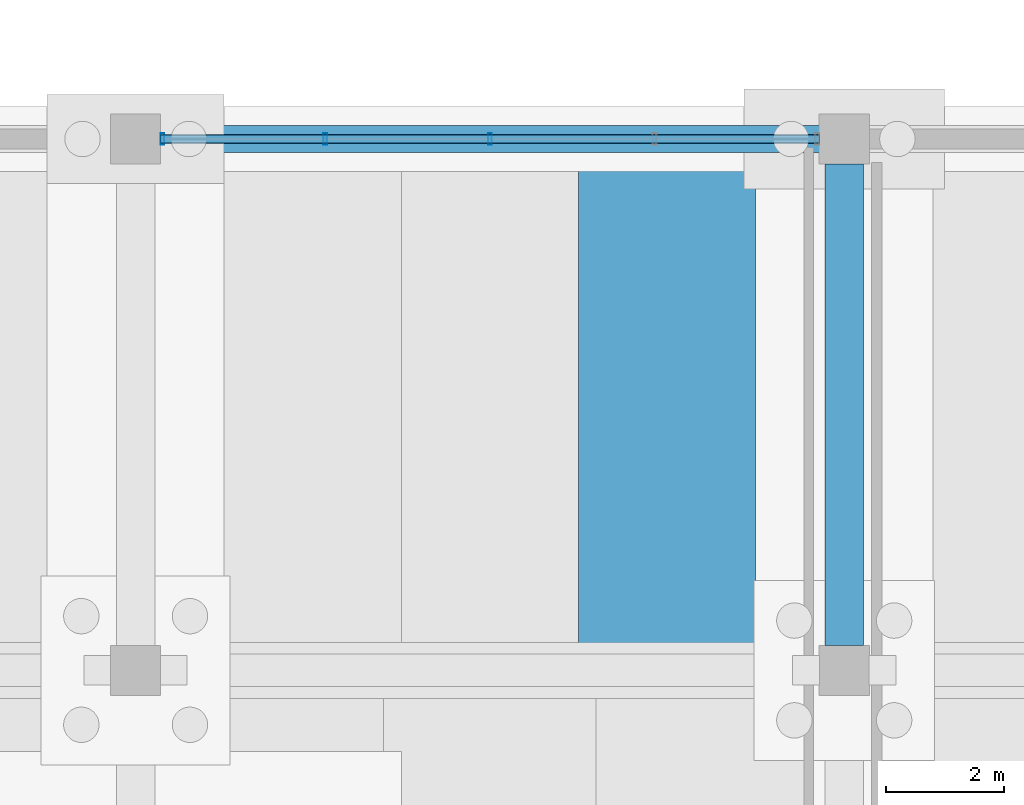
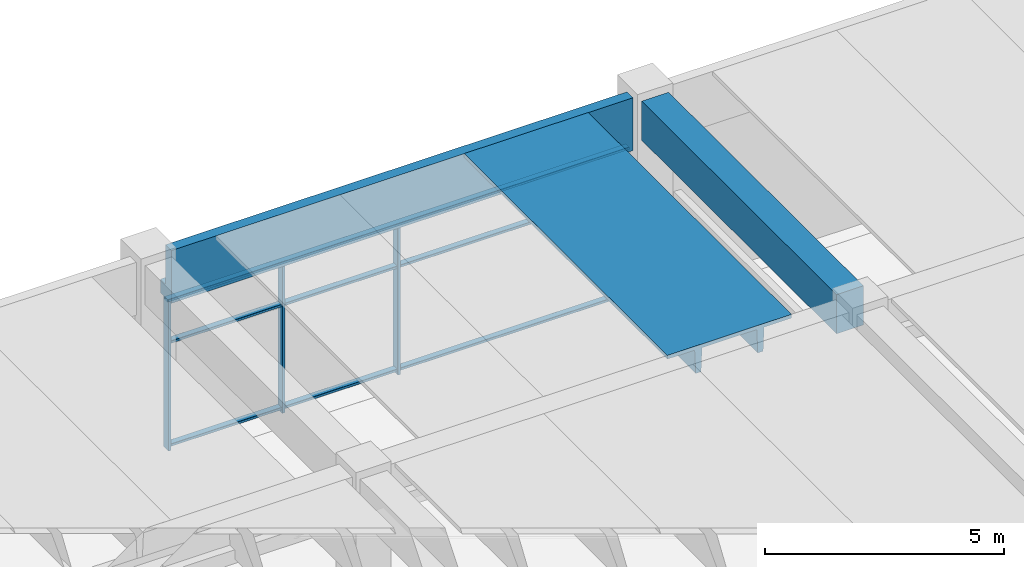
# One storey, part 16 of 59: 6 members, 3 beams, 1 element without a shape of its own.
"""IFC4 building model written with IfcOpenShell, lengths in metres."""

from ifc_helpers import new_model, si_unit, direction, frame, origin, origin_2d, place, context, subcontext, project, spatial, polyline, rectangle, hollow_rectangle, outline, extrude, material, material_profile, profile_set, type_object, element, aggregate, save


model = new_model("IFC4")

# Units and contexts
model_context = context("Model", 3, precision=1e-05, world=origin(), true_north=direction((0.0, 1.0)))
body_context = subcontext(model_context, "Body", "Model", "MODEL_VIEW")
ifc_project = project(units=[si_unit("LENGTHUNIT", "METRE"), si_unit("AREAUNIT", "SQUARE_METRE"), si_unit("VOLUMEUNIT", "CUBIC_METRE"), si_unit("PLANEANGLEUNIT", "RADIAN"), si_unit("MASSUNIT", "GRAM", prefix="KILO")], contexts=[model_context])

# Site, building, storey
site_placement = place(None, origin())
site = spatial("IfcSite", under=ifc_project, at=site_placement, CompositionType="ELEMENT")
building_placement = place(site_placement, origin())
building = spatial("IfcBuilding", under=site, at=building_placement, Name="Girod Span Mobility Hub", CompositionType="ELEMENT")
storey_placement = place(building_placement, origin())
storey = spatial("IfcBuildingStorey", under=building, at=storey_placement, Name="L00", CompositionType="ELEMENT", Elevation=0.0)

# Beams
ifc_material_1 = material(Name="Concrete C50/60", Category="concrete")
ifc_material_profile_1 = material_profile(ifc_material_1, outline(polyline([(-1.5, 0.35009765625), (-1.5, 0.2548828125), (-0.840087890625, 0.2548828125), (-0.81494140625, -0.35009765625), (-0.68505859375, -0.35009765625), (-0.659912109375, 0.2548828125), (0.659912109375, 0.2548828125), (0.68505859375, -0.35009765625), (0.81494140625, -0.35009765625), (0.840087890625, 0.2548828125), (1.5, 0.2548828125), (1.5, 0.35009765625), (-1.5, 0.35009765625)])), Name="DT-3000X700")
ifc_profile_set_1 = profile_set([ifc_material_profile_1], Name="Concrete C50/60")
beam_type_1 = type_object("IfcBeamType", Name="BM-DT-3000X700", PredefinedType="JOIST", material=ifc_profile_set_1)
beam_1_placement = place(storey_placement, frame((69.0, 105.27197265625, 4.85009765625), z_axis=(0.0, 1.0, 0.0), x_axis=(-1.0, 0.0, 0.0)))
element("IfcBeam", 1, at=beam_1_placement, inside=storey, type_object=beam_type_1, Name="Double-Tee Deck 6/H-3 L00", PredefinedType="JOIST", context=body_context, shape_type="SweptSolid", body=[
    extrude(outline(polyline([(-1.5, 0.35009765625), (-1.5, 0.2548828125), (-0.840087890625, 0.2548828125), (-0.81494140625, -0.35009765625), (-0.68505859375, -0.35009765625), (-0.659912109375, 0.2548828125), (0.659912109375, 0.2548828125), (0.68505859375, -0.35009765625), (0.81494140625, -0.35009765625), (0.840087890625, 0.2548828125), (1.5, 0.2548828125), (1.5, 0.35009765625), (-1.5, 0.35009765625)])), origin(), (0.0, 0.0, 1.0), 8.506103515625),
])
ifc_material_2 = material(Name="Concrete C40/50", Category="concrete")
ifc_material_profile_2 = material_profile(ifc_material_2, outline(polyline([(-0.22509765625, -0.675048828125), (0.22509765625, -0.675048828125), (0.22509765625, -0.324951171875), (0.02490234375, -0.324951171875), (0.02490234375, 0.675048828125), (-0.22509765625, 0.675048828125), (-0.22509765625, -0.675048828125)])), Name="SP-450X1350")
ifc_profile_set_2 = profile_set([ifc_material_profile_2], Name="Concrete C40/50")
beam_type_2 = type_object("IfcBeamType", Name="BM-SP-450X1350", PredefinedType="SPANDREL", material=ifc_profile_set_2)
beam_2_placement = place(storey_placement, frame((60.422119140625, 114.0, 4.52490234375), z_axis=(1.0, 0.0, 0.0), x_axis=(0.0, 1.0, 0.0)))
element("IfcBeam", 2, at=beam_2_placement, inside=storey, type_object=beam_type_2, Name="Girder 6-7/J L00", PredefinedType="SPANDREL", context=body_context, shape_type="SweptSolid", body=[
    extrude(outline(polyline([(-0.22509765625, -0.675048828125), (0.22509765625, -0.675048828125), (0.22509765625, -0.324951171875), (0.02490234375, -0.324951171875), (0.02490234375, 0.675048828125), (-0.22509765625, 0.675048828125), (-0.22509765625, -0.675048828125)])), origin(), (0.0, 0.0, 1.0), 11.15576171875),
])
ifc_material_3 = material(Name="Concrete C40/50", Category="concrete")
ifc_material_profile_3 = material_profile(ifc_material_3, rectangle(XDim=0.64990234375, YDim=1.0, at=origin_2d()), Name="TG-650X1000")
ifc_profile_set_3 = profile_set([ifc_material_profile_3], Name="Concrete C40/50")
beam_type_3 = type_object("IfcBeamType", Name="BM-TG-650X1000", PredefinedType="T_BEAM", material=ifc_profile_set_3)
beam_3_placement = place(storey_placement, frame((72.0, 105.422119140625, 4.699951171875), z_axis=(0.0, 1.0, 0.0), x_axis=(-1.0, 0.0, 0.0)))
element("IfcBeam", 3, at=beam_3_placement, inside=storey, type_object=beam_type_3, Name="Tie Girder 7/H-J L00", PredefinedType="T_BEAM", context=body_context, shape_type="SweptSolid", body=[
    extrude(rectangle(XDim=0.64990234375, YDim=1.0, at=origin_2d()), origin(), (0.0, 0.0, 1.0), 8.15576171875),
])

# Curtain wall, members
ifc_material_4 = material(Name="Thermally Broken Anodised Aluminium", Category="aluminium")
curtain_wall_type = type_object("IfcCurtainWallType", Name="CW-1115X385", PredefinedType="USERDEFINED", material=ifc_material_4)
curtain_wall_placement = place(storey_placement, origin())
curtain_wall = element("IfcCurtainWall", 4, at=curtain_wall_placement, inside=storey, type_object=curtain_wall_type, Name="Concourse Storefront CW-L00-N06 L00", ObjectType="CONCOURSE STOREFRONT", PredefinedType="USERDEFINED")
ifc_material_5 = material(Name="Thermally Broken Anodised Aluminium", Category="aluminium")
ifc_material_profile_4 = material_profile(ifc_material_5, hollow_rectangle(XDim=0.199951171875, YDim=0.06494140625, WallThickness=0.00390625, InnerFilletRadius=0.00390625, OuterFilletRadius=0.008056640625, at=origin_2d()), Name="CW-ML-65X200")
ifc_profile_set_4 = profile_set([ifc_material_profile_4], Name="Thermally Broken Anodised Aluminium")
member_type_1 = type_object("IfcMemberType", Name="CWM-ML-1", PredefinedType="MULLION", material=ifc_profile_set_4)
member_1_placement = place(storey_placement, frame((60.455078125, 114.0, 0.0), z_axis=(0.0, 0.0, 1.0), x_axis=(0.0, 1.0, 0.0)))
member_1 = element("IfcMember", 5, at=member_1_placement, type_object=member_type_1, Name="Curtain Wall Mullion CW-L00-N06-M0", PredefinedType="MULLION", context=body_context, shape_type="SweptSolid", body=[
    extrude(hollow_rectangle(XDim=0.199951171875, YDim=0.06494140625, WallThickness=0.00390625, InnerFilletRadius=0.00390625, OuterFilletRadius=0.008056640625, at=origin_2d()), origin(), (0.0, 0.0, 1.0), 3.85009765625),
])
member_2_placement = place(storey_placement, frame((63.21142578125, 114.0, 0.0), z_axis=(0.0, 0.0, 1.0), x_axis=(0.0, 1.0, 0.0)))
member_2 = element("IfcMember", 6, at=member_2_placement, type_object=member_type_1, Name="Curtain Wall Mullion CW-L00-N06-M1", PredefinedType="MULLION", context=body_context, shape_type="SweptSolid", body=[
    extrude(hollow_rectangle(XDim=0.199951171875, YDim=0.06494140625, WallThickness=0.00390625, InnerFilletRadius=0.00390625, OuterFilletRadius=0.008056640625, at=origin_2d()), origin(), (0.0, 0.0, 1.0), 3.85009765625),
])
member_3_placement = place(storey_placement, frame((66.0, 114.0, 0.0), z_axis=(0.0, 0.0, 1.0), x_axis=(0.0, 1.0, 0.0)))
member_3 = element("IfcMember", 7, at=member_3_placement, type_object=member_type_1, Name="Curtain Wall Mullion CW-L00-N06-M2", PredefinedType="MULLION", context=body_context, shape_type="SweptSolid", body=[
    extrude(hollow_rectangle(XDim=0.199951171875, YDim=0.06494140625, WallThickness=0.00390625, InnerFilletRadius=0.00390625, OuterFilletRadius=0.008056640625, at=origin_2d()), origin(), (0.0, 0.0, 1.0), 3.85009765625),
])
ifc_material_6 = material(Name="Thermally Broken Anodised Aluminium", Category="aluminium")
ifc_material_profile_5 = material_profile(ifc_material_6, hollow_rectangle(XDim=0.14990234375, YDim=0.06494140625, WallThickness=0.00390625, InnerFilletRadius=0.00390625, OuterFilletRadius=0.008056640625, at=origin_2d()), Name="CW-TR-65X150")
ifc_profile_set_5 = profile_set([ifc_material_profile_5], Name="Thermally Broken Anodised Aluminium")
member_type_2 = type_object("IfcMemberType", Name="CWM-TR-1", PredefinedType="USERDEFINED", material=ifc_profile_set_5)
member_4_placement = place(storey_placement, frame((60.423095703125, 114.0, 0.107421875), z_axis=(1.0, 0.0, 0.0), x_axis=(0.0, 1.0, 0.0)))
member_4 = element("IfcMember", 8, at=member_4_placement, type_object=member_type_2, Name="Curtain Wall Transom CW-L00-N06-T1", ObjectType="TRANSOM", PredefinedType="USERDEFINED", context=body_context, shape_type="SweptSolid", body=[
    extrude(hollow_rectangle(XDim=0.14990234375, YDim=0.06494140625, WallThickness=0.00390625, InnerFilletRadius=0.00390625, OuterFilletRadius=0.008056640625, at=origin_2d()), origin(), (0.0, 0.0, 1.0), 11.15380859375),
])
member_5_placement = place(storey_placement, frame((60.423095703125, 114.0, 2.739501953125), z_axis=(1.0, 0.0, 0.0), x_axis=(0.0, 1.0, 0.0)))
member_5 = element("IfcMember", 9, at=member_5_placement, type_object=member_type_2, Name="Curtain Wall Transom CW-L00-N06-T2", ObjectType="TRANSOM", PredefinedType="USERDEFINED", context=body_context, shape_type="SweptSolid", body=[
    extrude(hollow_rectangle(XDim=0.14990234375, YDim=0.06494140625, WallThickness=0.00390625, InnerFilletRadius=0.00390625, OuterFilletRadius=0.008056640625, at=origin_2d()), origin(), (0.0, 0.0, 1.0), 11.15380859375),
])
member_6_placement = place(storey_placement, frame((60.423095703125, 114.0, 3.8173828125), z_axis=(1.0, 0.0, 0.0), x_axis=(0.0, 1.0, 0.0)))
member_6 = element("IfcMember", 10, at=member_6_placement, type_object=member_type_2, Name="Curtain Wall Transom CW-L00-N06-T3", ObjectType="TRANSOM", PredefinedType="USERDEFINED", context=body_context, shape_type="SweptSolid", body=[
    extrude(hollow_rectangle(XDim=0.14990234375, YDim=0.06494140625, WallThickness=0.00390625, InnerFilletRadius=0.00390625, OuterFilletRadius=0.008056640625, at=origin_2d()), origin(), (0.0, 0.0, 1.0), 11.15380859375),
])
aggregate(curtain_wall, [member_1, member_2, member_3, member_4, member_5, member_6])

save(model, "model.ifc")
